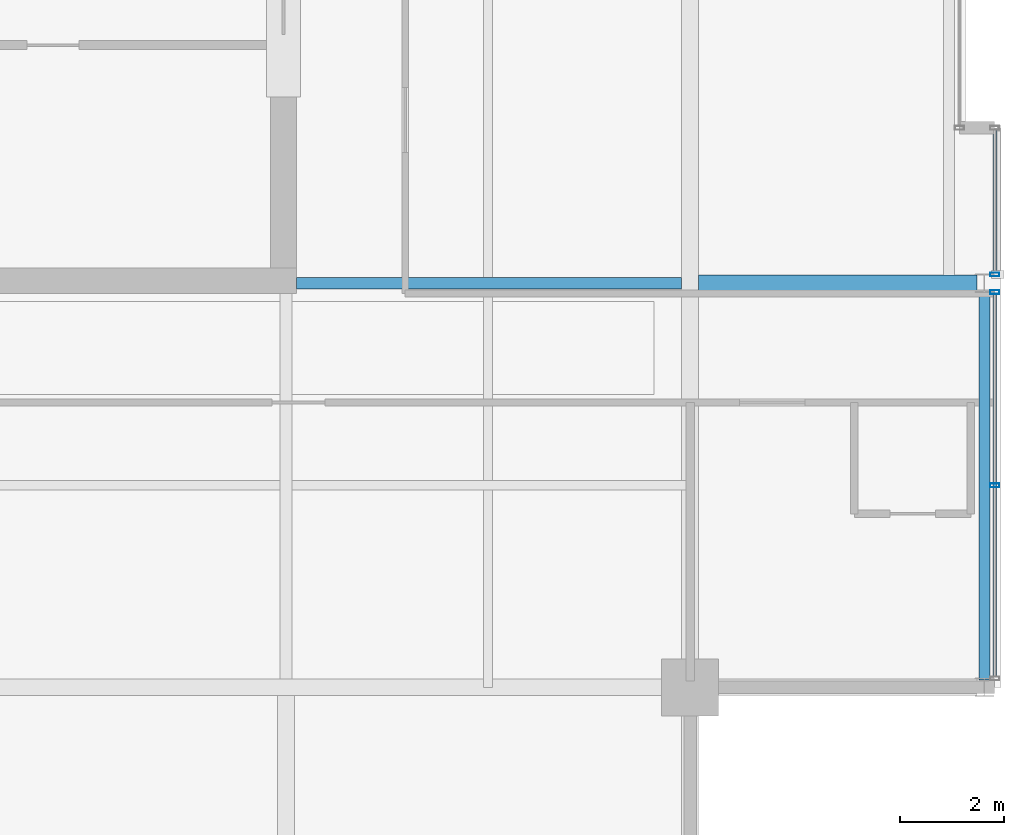
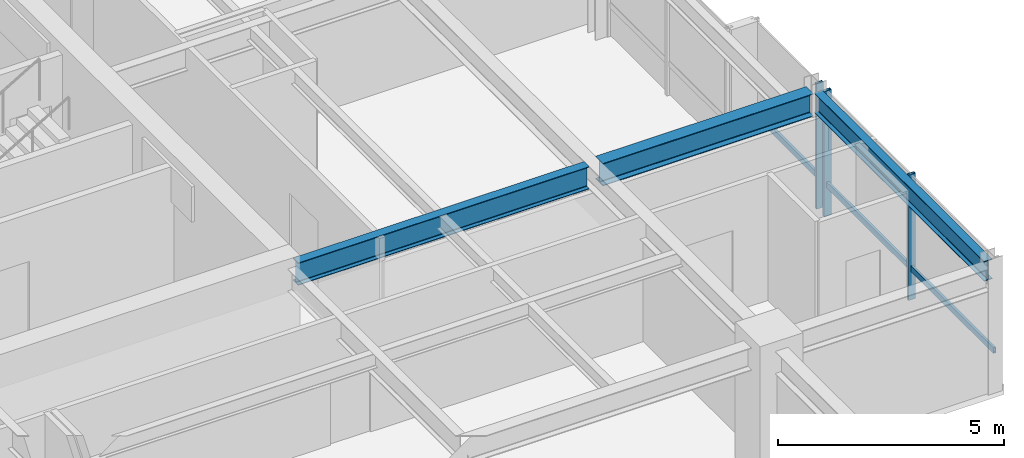
# One storey, part 16 of 33: 5 members, 3 beams, 2 elements without a shape of their own.
"""IFC4 building model written with IfcOpenShell, lengths in metres."""

from ifc_helpers import new_model, si_unit, direction, frame, origin, origin_2d, place, context, subcontext, project, spatial, hollow_rectangle, i_section, extrude, material, layer, layer_set, material_profile, profile_set, type_object, element, aggregate, save


model = new_model("IFC4")

# Units and contexts
model_context = context("Model", 3, precision=1e-05, world=origin(), true_north=direction((0.0, 1.0)))
body_context = subcontext(model_context, "Body", "Model", "MODEL_VIEW")
ifc_project = project(units=[si_unit("LENGTHUNIT", "METRE"), si_unit("AREAUNIT", "SQUARE_METRE"), si_unit("VOLUMEUNIT", "CUBIC_METRE"), si_unit("PLANEANGLEUNIT", "RADIAN"), si_unit("MASSUNIT", "GRAM", prefix="KILO")], contexts=[model_context])

# Site, building, storey
site_placement = place(None, origin())
site = spatial("IfcSite", under=ifc_project, at=site_placement, CompositionType="ELEMENT")
building_placement = place(site_placement, origin())
building = spatial("IfcBuilding", under=site, at=building_placement, Name="Drelvath Grand Hotel", CompositionType="ELEMENT")
storey_placement = place(building_placement, frame((0.0, 0.0, 283.25)))
storey = spatial("IfcBuildingStorey", under=building, at=storey_placement, Name="L74", CompositionType="ELEMENT", Elevation=283.25)

# Curtain wall, member
ifc_material_1 = material(Name="Platinum-Mist Anodised Aluminium Frame", Category="aluminium")
ifc_layer = layer(ifc_material_1, 0.199951171875)
ifc_layer_set = layer_set([ifc_layer], Name="Platinum-Mist Anodised Aluminium Frame")
curtain_wall_type = type_object("IfcCurtainWallType", Name="Stick Curtain Wall CW-05 Platinum Mist High-Rise", PredefinedType="NOTDEFINED", material=ifc_layer_set)
curtain_wall_1_placement = place(storey_placement, origin())
curtain_wall_1 = element("IfcCurtainWall", 1, at=curtain_wall_1_placement, inside=storey, type_object=curtain_wall_type, Name="L74 CW-05 Curtain Wall CW05-L74-ES1", PredefinedType="NOTDEFINED")
ifc_material_profile_1 = material_profile(ifc_material_1, hollow_rectangle(XDim=0.06494140625, YDim=0.159912109375, WallThickness=0.00390625, at=origin_2d()), Name="HSS160X65X4")
ifc_profile_set_1 = profile_set([ifc_material_profile_1], Name="Platinum-Mist Anodised Aluminium Frame")
member_type_1 = type_object("IfcMemberType", Name="Curtain Wall Horizontal Transom CW-05 HSS160X65X4", PredefinedType="USERDEFINED", material=ifc_profile_set_1)
member_1_placement = place(storey_placement, frame((22.080078125, 18.389892578125, 0.847412109375), z_axis=(0.0, -1.0, 0.0), x_axis=(1.0, 0.0, 0.0)))
member_1 = element("IfcMember", 2, at=member_1_placement, type_object=member_type_1, Name="CW05-L74-ES1 Sill Transom", ObjectType="TRANSOM", PredefinedType="USERDEFINED", context=body_context, shape_type="SweptSolid", body=[
    extrude(hollow_rectangle(XDim=0.06494140625, YDim=0.159912109375, WallThickness=0.00390625, at=origin_2d()), origin(), (0.0, 0.0, 1.0), 7.3798828125),
])

curtain_wall_2_placement = place(storey_placement, origin())
curtain_wall_2 = element("IfcCurtainWall", 3, at=curtain_wall_2_placement, inside=storey, type_object=curtain_wall_type, Name="L74 CW-05 Curtain Wall CW05-L74-ES2", PredefinedType="NOTDEFINED")
member_2_placement = place(storey_placement, frame((22.080078125, 21.56005859375, 0.847412109375), z_axis=(0.0, -1.0, 0.0), x_axis=(1.0, 0.0, 0.0)))
member_2 = element("IfcMember", 4, at=member_2_placement, type_object=member_type_1, Name="CW05-L74-ES2 Sill Transom", ObjectType="TRANSOM", PredefinedType="USERDEFINED", context=body_context, shape_type="SweptSolid", body=[
    extrude(hollow_rectangle(XDim=0.06494140625, YDim=0.159912109375, WallThickness=0.00390625, at=origin_2d()), origin(), (0.0, 0.0, 1.0), 2.75),
])

# Member
ifc_material_profile_2 = material_profile(ifc_material_1, hollow_rectangle(XDim=0.074951171875, YDim=0.179931640625, WallThickness=0.0048828125, at=origin_2d()), Name="HSS180X75X5")
ifc_profile_set_2 = profile_set([ifc_material_profile_2], Name="Platinum-Mist Anodised Aluminium Frame")
member_type_2 = type_object("IfcMemberType", Name="Curtain Wall Vertical Mullion CW-05 HSS180X75X5", PredefinedType="MULLION", material=ifc_profile_set_2)
member_3_placement = place(storey_placement, frame((22.080078125, 18.429931640625, 0.0), z_axis=(0.0, 0.0, 1.0), x_axis=(0.0, 1.0, 0.0)))
member_3 = element("IfcMember", 5, at=member_3_placement, type_object=member_type_2, Name="CW05-L74-ES1 Mullion 1", PredefinedType="MULLION", context=body_context, shape_type="SweptSolid", body=[
    extrude(hollow_rectangle(XDim=0.074951171875, YDim=0.179931640625, WallThickness=0.0048828125, at=origin_2d()), origin(), (0.0, 0.0, 1.0), 3.389892578125),
])

member_4_placement = place(storey_placement, frame((22.080078125, 14.7001953125, 0.0), z_axis=(0.0, 0.0, 1.0), x_axis=(0.0, 1.0, 0.0)))
member_4 = element("IfcMember", 6, at=member_4_placement, type_object=member_type_2, Name="CW05-L74-ES1 Mullion 2", PredefinedType="MULLION", context=body_context, shape_type="SweptSolid", body=[
    extrude(hollow_rectangle(XDim=0.074951171875, YDim=0.179931640625, WallThickness=0.0048828125, at=origin_2d()), origin(), (0.0, 0.0, 1.0), 3.389892578125),
])

aggregate(curtain_wall_1, [member_3, member_4, member_1])

member_5_placement = place(storey_placement, frame((22.080078125, 18.77001953125, 0.0), z_axis=(0.0, 0.0, 1.0), x_axis=(0.0, 1.0, 0.0)))
member_5 = element("IfcMember", 7, at=member_5_placement, type_object=member_type_2, Name="CW05-L74-ES2 Mullion 2", PredefinedType="MULLION", context=body_context, shape_type="SweptSolid", body=[
    extrude(hollow_rectangle(XDim=0.074951171875, YDim=0.179931640625, WallThickness=0.0048828125, at=origin_2d()), origin(), (0.0, 0.0, 1.0), 3.389892578125),
])

aggregate(curtain_wall_2, [member_5, member_2])

# Beams
ifc_material_2 = material(Name="Steel ASTM A992 Gr 50", Category="steel")
ifc_material_profile_3 = material_profile(ifc_material_2, i_section(OverallWidth=0.210205078125, OverallDepth=0.53662109375, WebThickness=0.010986328125, FlangeThickness=0.017333984375, FilletRadius=0.01806640625, at=origin_2d()), Name="W21X68")
ifc_profile_set_3 = profile_set([ifc_material_profile_3], Name="Steel ASTM A992 Gr 50")
beam_type_1 = type_object("IfcBeamType", Name="Perimeter Spandrel Beam W21X68", PredefinedType="SPANDREL", material=ifc_profile_set_3)
beam_1_placement = place(storey_placement, frame((21.8798828125, 10.93994140625, 3.12158203125), z_axis=(0.0, 1.0, 0.0), x_axis=(-1.0, 0.0, 0.0)))
element("IfcBeam", 8, at=beam_1_placement, inside=storey, type_object=beam_type_1, Name="L74 Spandrel East S", PredefinedType="SPANDREL", context=body_context, shape_type="SweptSolid", body=[
    extrude(i_section(OverallWidth=0.210205078125, OverallDepth=0.53662109375, WebThickness=0.010986328125, FlangeThickness=0.017333984375, FilletRadius=0.01806640625, at=origin_2d()), origin(), (0.0, 0.0, 1.0), 7.52001953125),
])
ifc_material_profile_4 = material_profile(ifc_material_2, i_section(OverallWidth=0.323974609375, OverallDepth=0.611083984375, WebThickness=0.0126953125, FlangeThickness=0.01904296875, FilletRadius=0.02197265625, at=origin_2d()), Name="W24X104")
ifc_profile_set_4 = profile_set([ifc_material_profile_4], Name="Steel ASTM A992 Gr 50")
beam_type_2 = type_object("IfcBeamType", Name="Primary Floor Girder W24X104", PredefinedType="BEAM", material=ifc_profile_set_4)
beam_2_placement = place(storey_placement, frame((16.362060546875, 18.60009765625, 3.08447265625), z_axis=(1.0, 0.0, 0.0), x_axis=(0.0, 1.0, 0.0)))
element("IfcBeam", 9, at=beam_2_placement, inside=storey, type_object=beam_type_2, Name="L74 East Wing Girder D", PredefinedType="BEAM", context=body_context, shape_type="SweptSolid", body=[
    extrude(i_section(OverallWidth=0.323974609375, OverallDepth=0.611083984375, WebThickness=0.0126953125, FlangeThickness=0.01904296875, FilletRadius=0.02197265625, at=origin_2d()), origin(), (0.0, 0.0, 1.0), 5.3779296875),
])
ifc_material_profile_5 = material_profile(ifc_material_2, i_section(OverallWidth=0.228271484375, OverallDepth=0.607666015625, WebThickness=0.01123046875, FlangeThickness=0.017333984375, FilletRadius=0.02001953125, at=origin_2d()), Name="W24X76")
ifc_profile_set_5 = profile_set([ifc_material_profile_5], Name="Steel ASTM A992 Gr 50")
beam_type_3 = type_object("IfcBeamType", Name="Primary Floor Girder W24X76", PredefinedType="BEAM", material=ifc_profile_set_5)
beam_3_placement = place(storey_placement, frame((8.60009765625, 18.60009765625, 3.086181640625), z_axis=(1.0, 0.0, 0.0), x_axis=(0.0, 1.0, 0.0)))
element("IfcBeam", 10, at=beam_3_placement, inside=storey, type_object=beam_type_3, Name="L74 East Core Tie D", PredefinedType="BEAM", context=body_context, shape_type="SweptSolid", body=[
    extrude(i_section(OverallWidth=0.228271484375, OverallDepth=0.607666015625, WebThickness=0.01123046875, FlangeThickness=0.017333984375, FilletRadius=0.02001953125, at=origin_2d()), origin(), (0.0, 0.0, 1.0), 7.43798828125),
])

save(model, "model.ifc")
